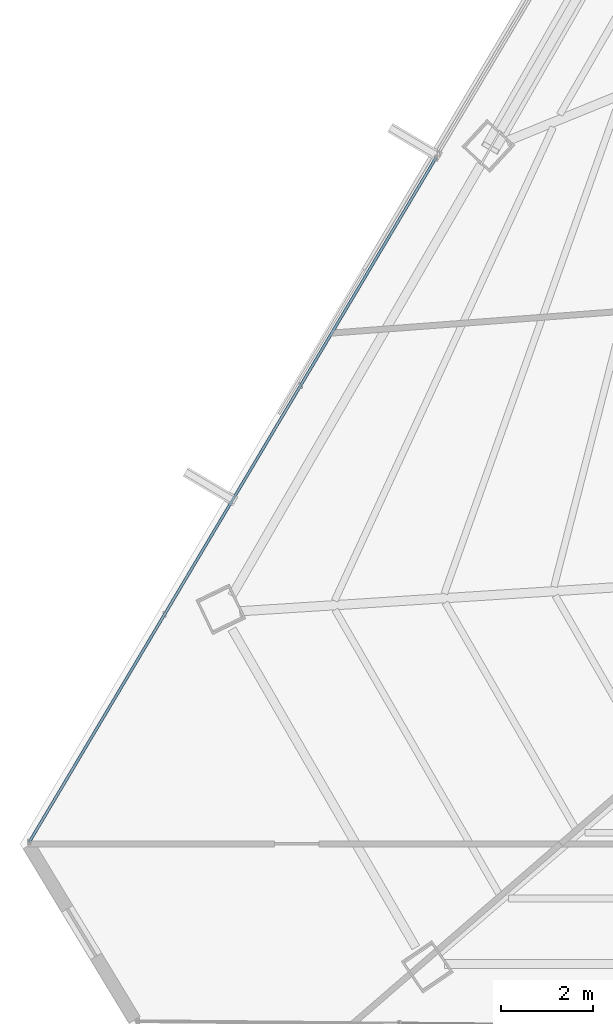
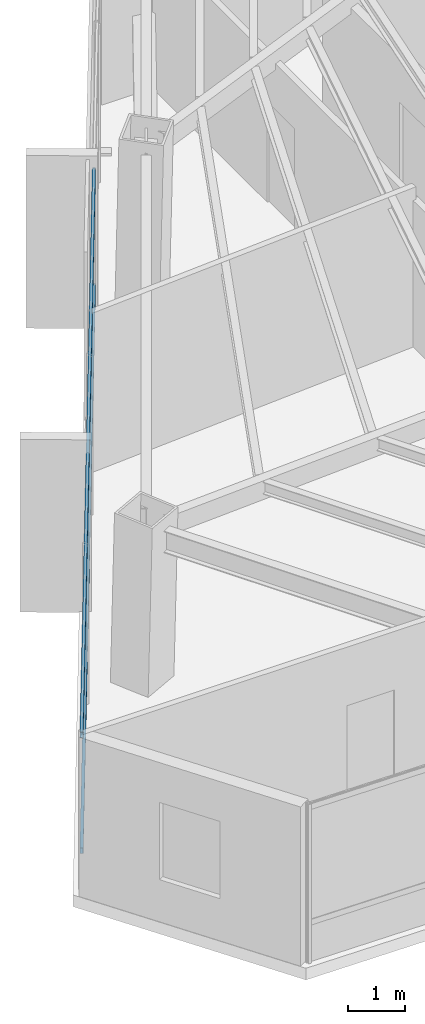
# One storey, part 9 of 47: 2 members, 1 element without a shape of its own.
"""IFC4 building model written with IfcOpenShell, lengths in metres."""

from ifc_helpers import new_model, si_unit, direction, frame, origin, origin_2d, place, context, subcontext, project, spatial, hollow_rectangle, extrude, source, transform, mapped, material, material_profile, profile_set, type_object, type_shapes, element, aggregate, save


model = new_model("IFC4")

# Units and contexts
model_context = context("Model", 3, precision=1e-05, world=origin(), true_north=direction((0.0, 1.0)))
body_context = subcontext(model_context, "Body", "Model", "MODEL_VIEW")
ifc_project = project(units=[si_unit("LENGTHUNIT", "METRE"), si_unit("AREAUNIT", "SQUARE_METRE"), si_unit("VOLUMEUNIT", "CUBIC_METRE"), si_unit("PLANEANGLEUNIT", "RADIAN"), si_unit("MASSUNIT", "GRAM", prefix="KILO")], contexts=[model_context])

# Site, building, storey
site_placement = place(None, origin())
site = spatial("IfcSite", under=ifc_project, at=site_placement, CompositionType="ELEMENT")
building_placement = place(site_placement, origin())
building = spatial("IfcBuilding", under=site, at=building_placement, Name="Caelisora Broadcast Tower", CompositionType="ELEMENT")
storey_placement = place(building_placement, frame((0.0, 0.0, 229.85009765625)))
storey = spatial("IfcBuildingStorey", under=building, at=storey_placement, Name="L60", CompositionType="ELEMENT", Elevation=229.85009765625)

# Curtain wall, members
ifc_material_1 = material(Name="Unitised Aluminium and Low-E Glass Curtain Wall", Category="glass")
curtain_wall_type = type_object("IfcCurtainWallType", Name="CW-Z5", PredefinedType="NOTDEFINED", material=ifc_material_1)
curtain_wall_placement = place(storey_placement, origin())
curtain_wall = element("IfcCurtainWall", 1, at=curtain_wall_placement, inside=storey, type_object=curtain_wall_type, Name="L60 curtain wall CW-Z5", PredefinedType="NOTDEFINED")
ifc_material_2 = material(Name="Aluminium 6063-T6 Anodised Terracotta Bronze", Category="aluminium")
ifc_material_profile = material_profile(ifc_material_2, hollow_rectangle(XDim=0.06005859375, YDim=0.1201171875, WallThickness=0.0029296875, at=origin_2d()), Name="Aluminium 6063-T6 Anodised Terracotta Bronze")
ifc_profile_set = profile_set([ifc_material_profile], Name="Aluminium 6063-T6 Anodised Terracotta Bronze")
member_type = type_object("IfcMemberType", Name="CWT-03", PredefinedType="USERDEFINED", material=ifc_profile_set)
shared_shape = source(origin(), body_context, "Body", "SweptSolid", [
    extrude(hollow_rectangle(XDim=0.06005859375, YDim=0.1201171875, WallThickness=0.0029296875, at=origin_2d()), origin(), (0.0, 0.0, 1.0), 17.21923828125),
])
type_shapes(member_type, [shared_shape])
member_1_placement = place(storey_placement, frame((12.025390625, 11.51708984375, 0.849853515625), z_axis=(0.510861063914, 0.8596632907, 0.0), x_axis=(-0.8596632907, 0.510861063914, 0.0)))
member_1 = element("IfcMember", 2, at=member_1_placement, type_object=member_type, Name="L60-CW-B09 transom #1", ObjectType="TRANSOM", PredefinedType="USERDEFINED", context=body_context, shape_type="MappedRepresentation", body=[
    mapped(shared_shape, transform((0.0, 0.0, 0.0), scale=1.0)),
])
member_2_placement = place(storey_placement, frame((12.025390625, 11.51708984375, 3.31982421875), z_axis=(0.510861063914, 0.8596632907, 0.0), x_axis=(-0.8596632907, 0.510861063914, 0.0)))
member_2 = element("IfcMember", 3, at=member_2_placement, type_object=member_type, Name="L60-CW-B09 transom #2", ObjectType="TRANSOM", PredefinedType="USERDEFINED", context=body_context, shape_type="MappedRepresentation", body=[
    mapped(shared_shape, transform((0.0, 0.0, 0.0), scale=1.0)),
])
aggregate(curtain_wall, [member_1, member_2])

save(model, "model.ifc")
